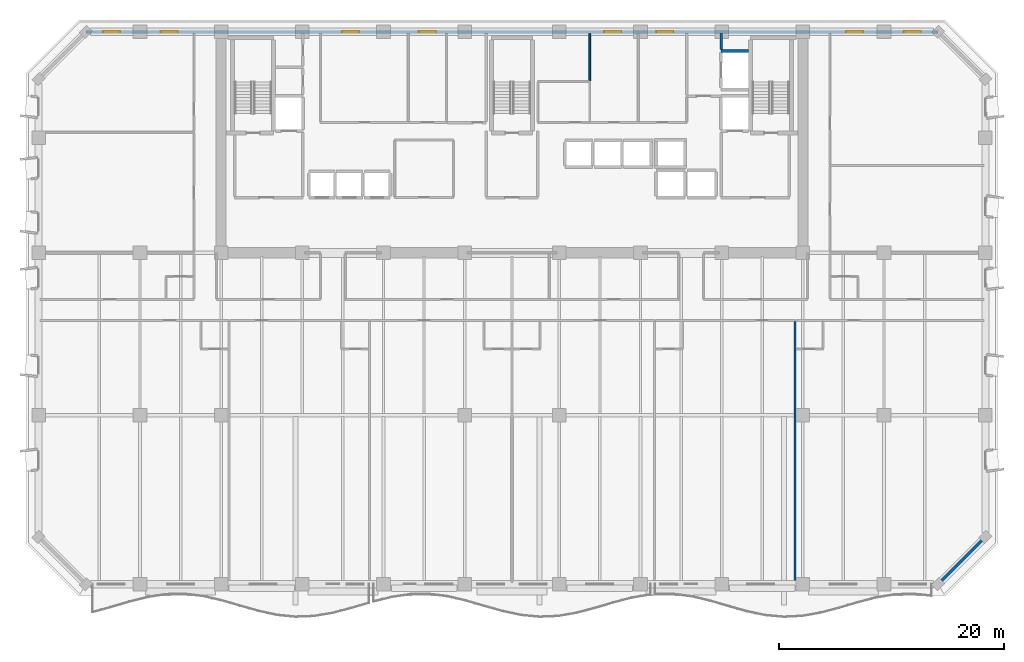
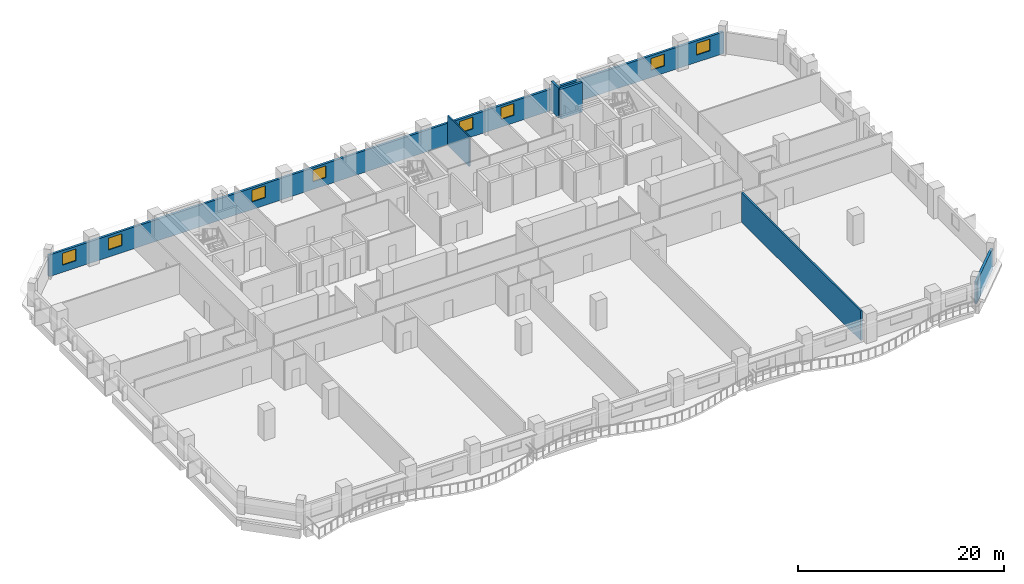
# One storey, part 9 of 15: 8 windows, 6 walls, 8 openings.
"""IFC4 building model written with IfcOpenShell, lengths in metres."""

import ifcopenshell
import ifcopenshell.guid

model = None  # the IFC model being written
_history = None  # IfcOwnerHistory: only IFC2X3 demands one
_inside = {}  # id of a spatial element -> (the spatial element, [elements in it])
_under = {}  # id of a project, library or spatial element -> (it, [spatial elements below it])
_declared = {}  # id of a project -> (the project, [libraries it declares])
_typed = {}  # id of a type object -> (the type object, [elements of that type])
_made_of = {}  # id of a material, layer set ... -> (it, [elements and type objects made of it])


def new_model(schema):
    """Start an empty IFC model of exactly this schema.

    Asked for "IFC4X3", IfcOpenShell would pick the latest addendum, in which some entities
    have other attributes; the version numbers below select the first issue.
    IFC2X3 requires an IfcOwnerHistory on every rooted entity: one is made here for all.
    """
    global model, _history
    if schema == "IFC4X3":
        model = ifcopenshell.file(schema_version=(4, 3, 0, 0))
    else:
        model = ifcopenshell.file(schema=schema)
    _inside.clear()
    _under.clear()
    _declared.clear()
    _typed.clear()
    _made_of.clear()
    _history = None
    if model.schema == "IFC2X3":
        org = make("IfcOrganization", Name="unknown")
        user = make(
            "IfcPersonAndOrganization",
            ThePerson=make("IfcPerson", FamilyName="unknown"),
            TheOrganization=org,
        )
        app = make(
            "IfcApplication",
            ApplicationDeveloper=org,
            Version="unknown",
            ApplicationFullName="unknown",
            ApplicationIdentifier="unknown",
        )
        _history = make(
            "IfcOwnerHistory",
            OwningUser=user,
            OwningApplication=app,
            ChangeAction="ADDED",
            CreationDate=0,
        )
    return model


def make(cls, **values):
    """One entity of the class cls with the attributes given. An attribute that is None is left unset."""
    return model.create_entity(
        cls, **{name: value for name, value in values.items() if value is not None}
    )


def rooted(cls, **values):
    """An entity with a GlobalId (a new one), such as an element, a storey or a relation."""
    return make(cls, GlobalId=ifcopenshell.guid.new(), OwnerHistory=_history, **values)


def si_unit(unit_type, name, prefix=None):
    """IfcSIUnit, for example si_unit("LENGTHUNIT", "METRE", prefix="MILLI")."""
    return make("IfcSIUnit", UnitType=unit_type, Prefix=prefix, Name=name)


def assignment(units):
    """IfcUnitAssignment: the units of a project."""
    return None if units is None else make("IfcUnitAssignment", Units=units)


def point(xyz):
    """IfcCartesianPoint."""
    return None if xyz is None else make("IfcCartesianPoint", Coordinates=xyz)


def direction(xyz):
    """IfcDirection."""
    return None if xyz is None else make("IfcDirection", DirectionRatios=xyz)


def frame(location, z_axis=None, x_axis=None):
    """IfcAxis2Placement3D, a coordinate frame: its origin and axes. An axis left out is left unset."""
    return make(
        "IfcAxis2Placement3D",
        Location=point(location),
        Axis=direction(z_axis),
        RefDirection=direction(x_axis),
    )


def frame_2d(location, x_axis=None):
    """IfcAxis2Placement2D, a coordinate frame in the plane: its origin and x axis."""
    return make(
        "IfcAxis2Placement2D", Location=point(location), RefDirection=direction(x_axis)
    )


def origin():
    """The frame at (0, 0, 0) with its axes left unset."""
    return frame((0.0, 0.0, 0.0))


def place(relative_to, where):
    """IfcLocalPlacement: puts the frame where relative to a parent placement (None: the world)."""
    return make(
        "IfcLocalPlacement", PlacementRelTo=relative_to, RelativePlacement=where
    )


def context(
    kind, dimensions, precision=None, world=None, true_north=None, identifier=None
):
    """IfcGeometricRepresentationContext, for example the 3D "Model" context."""
    return make(
        "IfcGeometricRepresentationContext",
        ContextIdentifier=identifier,
        ContextType=kind,
        CoordinateSpaceDimension=dimensions,
        Precision=precision,
        WorldCoordinateSystem=world,
        TrueNorth=true_north,
    )


def subcontext(parent, identifier, kind, view, scale=None):
    """IfcGeometricRepresentationSubContext, for example "Body" below "Model"."""
    return make(
        "IfcGeometricRepresentationSubContext",
        ContextIdentifier=identifier,
        ContextType=kind,
        ParentContext=parent,
        TargetScale=scale,
        TargetView=view,
    )


def project(units=None, contexts=None):
    """IfcProject with its units and contexts."""
    return rooted(
        "IfcProject",
        Name="project",
        RepresentationContexts=contexts,
        UnitsInContext=assignment(units),
    )


def spatial(cls, under=None, at=None, **own):
    """A site, building, storey or space (cls), placed at a placement, below another one or the project."""
    s = rooted(cls, ObjectPlacement=at, **own)
    if under is not None:
        _under.setdefault(under.id(), (under, []))[1].append(s)
    return s


def profile(cls, at=None, kind="AREA", **sizes):
    """A parametric profile (cls). Its sizes go by their IFC names, for example OverallWidth=200.0."""
    return make(cls, ProfileType=kind, Position=at, **sizes)


def rectangle(**sizes):
    """IfcRectangleProfileDef."""
    return profile("IfcRectangleProfileDef", **sizes)


def extrude(swept, where, along, depth):
    """IfcExtrudedAreaSolid: the profile swept, set in the frame where, extruded along a direction by depth."""
    return make(
        "IfcExtrudedAreaSolid",
        SweptArea=swept,
        Position=where,
        ExtrudedDirection=direction(along),
        Depth=depth,
    )


def shape(context_of_items, identifier, shape_type, items):
    """IfcShapeRepresentation: the items that make up one representation, for example the "Body"."""
    return make(
        "IfcShapeRepresentation",
        ContextOfItems=context_of_items,
        RepresentationIdentifier=identifier,
        RepresentationType=shape_type,
        Items=items,
    )


def material(Name=None, Category=None):
    """IfcMaterial."""
    return make("IfcMaterial", Name=Name, Category=Category)


def layer(
    of_material, thickness, ventilated=None, Name=None, Category=None, Priority=None
):
    """IfcMaterialLayer: one layer of a wall or slab, of a material (None: an air gap)."""
    return make(
        "IfcMaterialLayer",
        Material=of_material,
        LayerThickness=thickness,
        IsVentilated=ventilated,
        Name=Name,
        Category=Category,
        Priority=Priority,
    )


def layer_set(layers, Name=None):
    """IfcMaterialLayerSet."""
    return make("IfcMaterialLayerSet", MaterialLayers=layers, LayerSetName=Name)


def made_of(thing, what):
    """Note that an element or type object is made of a material, layer set ...; save() writes the relation."""
    if what is not None:
        _made_of.setdefault(what.id(), (what, []))[1].append(thing)
    return thing


def type_object(cls, material=None, **own):
    """A type object (cls), such as IfcWallType, which elements share."""
    return made_of(rooted(cls, **own), material)


def element(
    cls,
    number,
    at=None,
    inside=None,
    cuts=None,
    type_object=None,
    material=None,
    context=None,
    identifier="Body",
    shape_type=None,
    held_by="IfcProductDefinitionShape",
    body=None,
    shapes=None,
    **own,
):
    """One element of the class cls, such as IfcWall. Its Tag is "e" and its number.

    at: its placement. inside: the storey or other place that contains it. cuts: it is an
    opening in that element (IfcRelVoidsElement). A single representation is given by context,
    identifier, shape_type and body (its items); several are given by shapes. held_by: the class
    of the entity that holds the representations. save() writes the other relations.
    """
    e = rooted(cls, Tag="e%d" % number, ObjectPlacement=at, **own)
    if body is not None:
        shapes = [shape(context, identifier, shape_type, body)]
    if shapes is not None:
        e.Representation = make(held_by, Representations=shapes)
    if inside is not None:
        _inside.setdefault(inside.id(), (inside, []))[1].append(e)
    if cuts is not None:
        rooted(
            "IfcRelVoidsElement", RelatingBuildingElement=cuts, RelatedOpeningElement=e
        )
    if type_object is not None:
        _typed.setdefault(type_object.id(), (type_object, []))[1].append(e)
    return made_of(e, material)


def fill(opening, filler):
    """IfcRelFillsElement: the door or window that sits in an opening."""
    return rooted(
        "IfcRelFillsElement",
        RelatingOpeningElement=opening,
        RelatedBuildingElement=filler,
    )


def aggregate(whole, parts):
    """IfcRelAggregates: a whole, such as a stair, and the parts it consists of."""
    return rooted("IfcRelAggregates", RelatingObject=whole, RelatedObjects=parts)


def save(model, path):
    """Write the relations noted so far, then the file.

    IfcRelAggregates (storeys below a building ...), IfcRelContainedInSpatialStructure (elements
    in a storey), IfcRelDefinesByType, IfcRelAssociatesMaterial and IfcRelDeclares: one each for
    every whole, place, type object, material and project.
    """
    for whole, parts in _under.values():
        aggregate(whole, parts)
    for where, things in _inside.values():
        rooted(
            "IfcRelContainedInSpatialStructure",
            RelatedElements=things,
            RelatingStructure=where,
        )
    for kind, things in _typed.values():
        rooted("IfcRelDefinesByType", RelatedObjects=things, RelatingType=kind)
    for what, things in _made_of.values():
        rooted("IfcRelAssociatesMaterial", RelatedObjects=things, RelatingMaterial=what)
    for by, libraries in _declared.values():
        rooted("IfcRelDeclares", RelatingContext=by, RelatedDefinitions=libraries)
    model.write(path)


model = new_model("IFC4")

# Units and contexts
model_context = context("Model", 3, precision=1e-05, world=origin(), true_north=direction((0.0, 1.0)))
body_context = subcontext(model_context, "Body", "Model", "MODEL_VIEW")
ifc_project = project(units=[si_unit("LENGTHUNIT", "METRE"), si_unit("AREAUNIT", "SQUARE_METRE"), si_unit("VOLUMEUNIT", "CUBIC_METRE"), si_unit("PLANEANGLEUNIT", "RADIAN"), si_unit("MASSUNIT", "GRAM", prefix="KILO")], contexts=[model_context])

# Site, building, storey
site_placement = place(None, origin())
site = spatial("IfcSite", under=ifc_project, at=site_placement, CompositionType="ELEMENT")
building_placement = place(site_placement, origin())
building = spatial("IfcBuilding", under=site, at=building_placement, Name="Kaelvorn Grand Hotel", CompositionType="ELEMENT")
storey_placement = place(building_placement, frame((0.0, 0.0, 111.800048828125)))
storey = spatial("IfcBuildingStorey", under=building, at=storey_placement, Name="L26", CompositionType="ELEMENT", Elevation=111.800048828125)

# Wall
ifc_material_1 = material(Name="Concrete C40/50", Category="concrete")
ifc_layer_1 = layer(ifc_material_1, 0.260009765625)
ifc_layer_set_1 = layer_set([ifc_layer_1], Name="Concrete C40/50")
wall_type_1 = type_object("IfcWallType", Name="WL-EXT-260-C40", PredefinedType="SOLIDWALL", material=ifc_layer_set_1)
wall_1_placement = place(storey_placement, frame((79.800048828125, 0.0, 0.0), z_axis=(0.0, 0.0, 1.0), x_axis=(0.707106781187, 0.707106781187, 0.0)))
element("IfcWall", 1, at=wall_1_placement, inside=storey, type_object=wall_type_1, Name="L26 Exterior Architectural Concrete Wall 02", PredefinedType="SOLIDWALL", context=body_context, shape_type="SweptSolid", body=[
    extrude(rectangle(XDim=5.939697265625, YDim=0.260009765625, at=frame_2d((2.9697265625, 0.0))), origin(), (0.0, 0.0, 1.0), 2.56005859375),
])

# Wall, openings, windows
wall_2_placement = place(storey_placement, frame((79.800048828125, 49.0, 0.0), z_axis=(0.0, 0.0, 1.0), x_axis=(-1.0, 0.0, 0.0)))
wall_2 = element("IfcWall", 2, at=wall_2_placement, inside=storey, type_object=wall_type_1, Name="L26 Exterior Architectural Concrete Wall 05", PredefinedType="SOLIDWALL", context=body_context, shape_type="SweptSolid", body=[
    extrude(rectangle(XDim=75.60009765625, YDim=0.260009765625, at=frame_2d((37.800048828125, 0.0))), origin(), (0.0, 0.0, 1.0), 2.56005859375),
])
opening_1_placement = place(wall_2_placement, frame((72.56494140625, 0.0, 0.85009765625)))
opening_1 = element("IfcOpeningElement", 3, at=opening_1_placement, cuts=wall_2, Name="Opening W10", PredefinedType="OPENING", context=body_context, shape_type="SweptSolid", body=[
    extrude(rectangle(XDim=1.5, YDim=1.39990234375, at=frame_2d((0.75, 0.699951171875))), frame((0.0, 0.14013671875, 0.0), z_axis=(0.0, -1.0, 0.0), x_axis=(1.0, 0.0, 0.0)), (0.0, 0.0, 1.0), 0.280029296875),
])
opening_2_placement = place(wall_2_placement, frame((67.449951171875, 0.0, 0.85009765625)))
opening_2 = element("IfcOpeningElement", 4, at=opening_2_placement, cuts=wall_2, Name="Opening W10", PredefinedType="OPENING", context=body_context, shape_type="SweptSolid", body=[
    extrude(rectangle(XDim=1.5, YDim=1.39990234375, at=frame_2d((0.75, 0.699951171875))), frame((0.0, 0.14013671875, 0.0), z_axis=(0.0, -1.0, 0.0), x_axis=(1.0, 0.0, 0.0)), (0.0, 0.0, 1.0), 0.280029296875),
])
opening_3_placement = place(wall_2_placement, frame((6.64990234375, 0.0, 0.85009765625)))
opening_3 = element("IfcOpeningElement", 5, at=opening_3_placement, cuts=wall_2, Name="Opening W10", PredefinedType="OPENING", context=body_context, shape_type="SweptSolid", body=[
    extrude(rectangle(XDim=1.5, YDim=1.39990234375, at=frame_2d((0.75, 0.699951171875))), frame((0.0, 0.14013671875, 0.0), z_axis=(0.0, -1.0, 0.0), x_axis=(1.0, 0.0, 0.0)), (0.0, 0.0, 1.0), 0.280029296875),
])
opening_4_placement = place(wall_2_placement, frame((1.534912109375, 0.0, 0.85009765625)))
opening_4 = element("IfcOpeningElement", 6, at=opening_4_placement, cuts=wall_2, Name="Opening W10", PredefinedType="OPENING", context=body_context, shape_type="SweptSolid", body=[
    extrude(rectangle(XDim=1.5, YDim=1.39990234375, at=frame_2d((0.75, 0.699951171875))), frame((0.0, 0.14013671875, 0.0), z_axis=(0.0, -1.0, 0.0), x_axis=(1.0, 0.0, 0.0)), (0.0, 0.0, 1.0), 0.280029296875),
])
opening_5_placement = place(wall_2_placement, frame((51.364990234375, 0.0, 0.89990234375)))
opening_5 = element("IfcOpeningElement", 7, at=opening_5_placement, cuts=wall_2, Name="Opening W10", PredefinedType="OPENING", context=body_context, shape_type="SweptSolid", body=[
    extrude(rectangle(XDim=1.5, YDim=1.39990234375, at=frame_2d((0.75, 0.699951171875))), frame((0.0, 0.14013671875, 0.0), z_axis=(0.0, -1.0, 0.0), x_axis=(1.0, 0.0, 0.0)), (0.0, 0.0, 1.0), 0.280029296875),
])
opening_6_placement = place(wall_2_placement, frame((44.550048828125, 0.0, 0.89990234375)))
opening_6 = element("IfcOpeningElement", 8, at=opening_6_placement, cuts=wall_2, Name="Opening W10", PredefinedType="OPENING", context=body_context, shape_type="SweptSolid", body=[
    extrude(rectangle(XDim=1.5, YDim=1.39990234375, at=frame_2d((0.75, 0.699951171875))), frame((0.0, 0.14013671875, 0.0), z_axis=(0.0, -1.0, 0.0), x_axis=(1.0, 0.0, 0.0)), (0.0, 0.0, 1.0), 0.280029296875),
])
opening_7_placement = place(wall_2_placement, frame((28.10009765625, 0.0, 0.89990234375)))
opening_7 = element("IfcOpeningElement", 9, at=opening_7_placement, cuts=wall_2, Name="Opening W10", PredefinedType="OPENING", context=body_context, shape_type="SweptSolid", body=[
    extrude(rectangle(XDim=1.5, YDim=1.39990234375, at=frame_2d((0.75, 0.699951171875))), frame((0.0, 0.14013671875, 0.0), z_axis=(0.0, -1.0, 0.0), x_axis=(1.0, 0.0, 0.0)), (0.0, 0.0, 1.0), 0.280029296875),
])
opening_8_placement = place(wall_2_placement, frame((23.485107421875, 0.0, 0.89990234375)))
opening_8 = element("IfcOpeningElement", 10, at=opening_8_placement, cuts=wall_2, Name="Opening W10", PredefinedType="OPENING", context=body_context, shape_type="SweptSolid", body=[
    extrude(rectangle(XDim=1.5, YDim=1.39990234375, at=frame_2d((0.75, 0.699951171875))), frame((0.0, 0.14013671875, 0.0), z_axis=(0.0, -1.0, 0.0), x_axis=(1.0, 0.0, 0.0)), (0.0, 0.0, 1.0), 0.280029296875),
])
ifc_material_2 = material(Name="Laminated Low-E Glass", Category="glass")
window_type = type_object("IfcWindowType", Name="WIN-COR-1500x1400", PartitioningType="SINGLE_PANEL", PredefinedType="WINDOW", material=ifc_material_2)
window_1_placement = place(opening_1_placement, origin())
window_1 = element("IfcWindow", 11, at=window_1_placement, inside=storey, type_object=window_type, Name="L26 North Wing Ribbon Window NW01", OverallHeight=1.39990234375, OverallWidth=1.5, PartitioningType="SINGLE_PANEL", PredefinedType="WINDOW", context=body_context, shape_type="SweptSolid", body=[
    extrude(rectangle(XDim=1.5, YDim=1.39990234375, at=frame_2d((0.75, 0.699951171875))), frame((0.0, 0.030029296875, 0.0), z_axis=(0.0, -1.0, 0.0), x_axis=(1.0, 0.0, 0.0)), (0.0, 0.0, 1.0), 0.06005859375),
])
fill(opening_1, window_1)
window_2_placement = place(opening_2_placement, origin())
window_2 = element("IfcWindow", 12, at=window_2_placement, inside=storey, type_object=window_type, Name="L26 North Wing Ribbon Window NW02", OverallHeight=1.39990234375, OverallWidth=1.5, PartitioningType="SINGLE_PANEL", PredefinedType="WINDOW", context=body_context, shape_type="SweptSolid", body=[
    extrude(rectangle(XDim=1.5, YDim=1.39990234375, at=frame_2d((0.75, 0.699951171875))), frame((0.0, 0.030029296875, 0.0), z_axis=(0.0, -1.0, 0.0), x_axis=(1.0, 0.0, 0.0)), (0.0, 0.0, 1.0), 0.06005859375),
])
fill(opening_2, window_2)
window_3_placement = place(opening_3_placement, origin())
window_3 = element("IfcWindow", 13, at=window_3_placement, inside=storey, type_object=window_type, Name="L26 North Wing Ribbon Window NW03", OverallHeight=1.39990234375, OverallWidth=1.5, PartitioningType="SINGLE_PANEL", PredefinedType="WINDOW", context=body_context, shape_type="SweptSolid", body=[
    extrude(rectangle(XDim=1.5, YDim=1.39990234375, at=frame_2d((0.75, 0.699951171875))), frame((0.0, 0.030029296875, 0.0), z_axis=(0.0, -1.0, 0.0), x_axis=(1.0, 0.0, 0.0)), (0.0, 0.0, 1.0), 0.06005859375),
])
fill(opening_3, window_3)
window_4_placement = place(opening_4_placement, origin())
window_4 = element("IfcWindow", 14, at=window_4_placement, inside=storey, type_object=window_type, Name="L26 North Wing Ribbon Window NW04", OverallHeight=1.39990234375, OverallWidth=1.5, PartitioningType="SINGLE_PANEL", PredefinedType="WINDOW", context=body_context, shape_type="SweptSolid", body=[
    extrude(rectangle(XDim=1.5, YDim=1.39990234375, at=frame_2d((0.75, 0.699951171875))), frame((0.0, 0.030029296875, 0.0), z_axis=(0.0, -1.0, 0.0), x_axis=(1.0, 0.0, 0.0)), (0.0, 0.0, 1.0), 0.06005859375),
])
fill(opening_4, window_4)
window_5_placement = place(opening_5_placement, origin())
window_5 = element("IfcWindow", 15, at=window_5_placement, inside=storey, type_object=window_type, Name="L26 North Core Clerestory Ribbon Window NC05", OverallHeight=1.39990234375, OverallWidth=1.5, PartitioningType="SINGLE_PANEL", PredefinedType="WINDOW", context=body_context, shape_type="SweptSolid", body=[
    extrude(rectangle(XDim=1.5, YDim=1.39990234375, at=frame_2d((0.75, 0.699951171875))), frame((0.0, 0.030029296875, 0.0), z_axis=(0.0, -1.0, 0.0), x_axis=(1.0, 0.0, 0.0)), (0.0, 0.0, 1.0), 0.06005859375),
])
fill(opening_5, window_5)
window_6_placement = place(opening_6_placement, origin())
window_6 = element("IfcWindow", 16, at=window_6_placement, inside=storey, type_object=window_type, Name="L26 North Core Clerestory Ribbon Window NC06", OverallHeight=1.39990234375, OverallWidth=1.5, PartitioningType="SINGLE_PANEL", PredefinedType="WINDOW", context=body_context, shape_type="SweptSolid", body=[
    extrude(rectangle(XDim=1.5, YDim=1.39990234375, at=frame_2d((0.75, 0.699951171875))), frame((0.0, 0.030029296875, 0.0), z_axis=(0.0, -1.0, 0.0), x_axis=(1.0, 0.0, 0.0)), (0.0, 0.0, 1.0), 0.06005859375),
])
fill(opening_6, window_6)
window_7_placement = place(opening_7_placement, origin())
window_7 = element("IfcWindow", 17, at=window_7_placement, inside=storey, type_object=window_type, Name="L26 North Core Clerestory Ribbon Window NC07", OverallHeight=1.39990234375, OverallWidth=1.5, PartitioningType="SINGLE_PANEL", PredefinedType="WINDOW", context=body_context, shape_type="SweptSolid", body=[
    extrude(rectangle(XDim=1.5, YDim=1.39990234375, at=frame_2d((0.75, 0.699951171875))), frame((0.0, 0.030029296875, 0.0), z_axis=(0.0, -1.0, 0.0), x_axis=(1.0, 0.0, 0.0)), (0.0, 0.0, 1.0), 0.06005859375),
])
fill(opening_7, window_7)
window_8_placement = place(opening_8_placement, origin())
window_8 = element("IfcWindow", 18, at=window_8_placement, inside=storey, type_object=window_type, Name="L26 North Core Clerestory Ribbon Window NC08", OverallHeight=1.39990234375, OverallWidth=1.5, PartitioningType="SINGLE_PANEL", PredefinedType="WINDOW", context=body_context, shape_type="SweptSolid", body=[
    extrude(rectangle(XDim=1.5, YDim=1.39990234375, at=frame_2d((0.75, 0.699951171875))), frame((0.0, 0.030029296875, 0.0), z_axis=(0.0, -1.0, 0.0), x_axis=(1.0, 0.0, 0.0)), (0.0, 0.0, 1.0), 0.06005859375),
])
fill(opening_8, window_8)

# Walls
ifc_material_3 = material(Name="Acoustic Gypsum & Stud Partition")
ifc_layer_2 = layer(ifc_material_3, 0.14990234375)
ifc_layer_set_2 = layer_set([ifc_layer_2], Name="Acoustic Gypsum & Stud Partition")
wall_type_2 = type_object("IfcWallType", Name="WL-PART-150-EI60", PredefinedType="PARTITIONING", material=ifc_layer_set_2)
wall_3_placement = place(storey_placement, frame((48.89990234375, 44.66748046875, 0.0), z_axis=(0.0, 0.0, 1.0), x_axis=(0.0, 1.0, 0.0)))
element("IfcWall", 19, at=wall_3_placement, inside=storey, type_object=wall_type_2, Name="L26 Minibar & Glassware Store W Partition", PredefinedType="PARTITIONING", context=body_context, shape_type="SweptSolid", body=[
    extrude(rectangle(XDim=4.1826171875, YDim=0.14990234375, at=frame_2d((2.09130859375, 0.0))), origin(), (0.0, 0.0, 1.0), 3.510009765625),
])
ifc_layer_3 = layer(ifc_material_3, 0.179931640625)
ifc_layer_set_3 = layer_set([ifc_layer_3], Name="Acoustic Gypsum & Stud Partition")
wall_type_3 = type_object("IfcWallType", Name="WL-PART-180-EI60", PredefinedType="PARTITIONING", material=ifc_layer_set_3)
wall_4_placement = place(storey_placement, frame((67.100341796875, 0.14990234375, 0.0), z_axis=(0.0, 0.0, 1.0), x_axis=(0.0, 1.0, 0.0)))
element("IfcWall", 20, at=wall_4_placement, inside=storey, type_object=wall_type_3, Name="L26 Presidential Sky Suite L26-05 E Partition", PredefinedType="PARTITIONING", context=body_context, shape_type="SweptSolid", body=[
    extrude(rectangle(XDim=23.155029296875, YDim=0.179931640625, at=frame_2d((11.57763671875, 0.0))), origin(), (0.0, 0.0, 1.0), 3.510009765625),
])
ifc_layer_4 = layer(ifc_material_1, 0.219970703125)
ifc_layer_set_4 = layer_set([ifc_layer_4], Name="Concrete C40/50")
wall_type_4 = type_object("IfcWallType", Name="WL-PART-220-EI120", PredefinedType="PARTITIONING", material=ifc_layer_set_4)
wall_5_placement = place(storey_placement, frame((60.550048828125, 47.445068359375, 0.0), z_axis=(0.0, 0.0, 1.0), x_axis=(0.0, 1.0, 0.0)))
element("IfcWall", 21, at=wall_5_placement, inside=storey, type_object=wall_type_4, Name="L26 Service Lift Lobby E Partition", PredefinedType="PARTITIONING", context=body_context, shape_type="SweptSolid", body=[
    extrude(rectangle(XDim=1.405029296875, YDim=0.219970703125, at=frame_2d((0.70263671875, 0.0))), origin(), (0.0, 0.0, 1.0), 3.510009765625),
])
ifc_material_4 = material(Name="Concrete C50/60", Category="concrete")
ifc_layer_5 = layer(ifc_material_4, 0.280029296875)
ifc_layer_set_5 = layer_set([ifc_layer_5], Name="Concrete C50/60")
wall_type_5 = type_object("IfcWallType", Name="WL-SHAFT-280-C50", PredefinedType="SHEAR", material=ifc_layer_set_5)
wall_6_placement = place(storey_placement, frame((60.550048828125, 47.300048828125, 0.0), z_axis=(0.0, 0.0, 1.0), x_axis=(1.0, 0.0, 0.0)))
element("IfcWall", 22, at=wall_6_placement, inside=storey, type_object=wall_type_5, Name="L26 Lift SV1 Shaft North Wall", PredefinedType="SHEAR", context=body_context, shape_type="SweptSolid", body=[
    extrude(rectangle(XDim=2.4150390625, YDim=0.280029296875, at=frame_2d((1.20751953125, 0.0))), origin(), (0.0, 0.0, 1.0), 3.510009765625),
])

save(model, "model.ifc")
